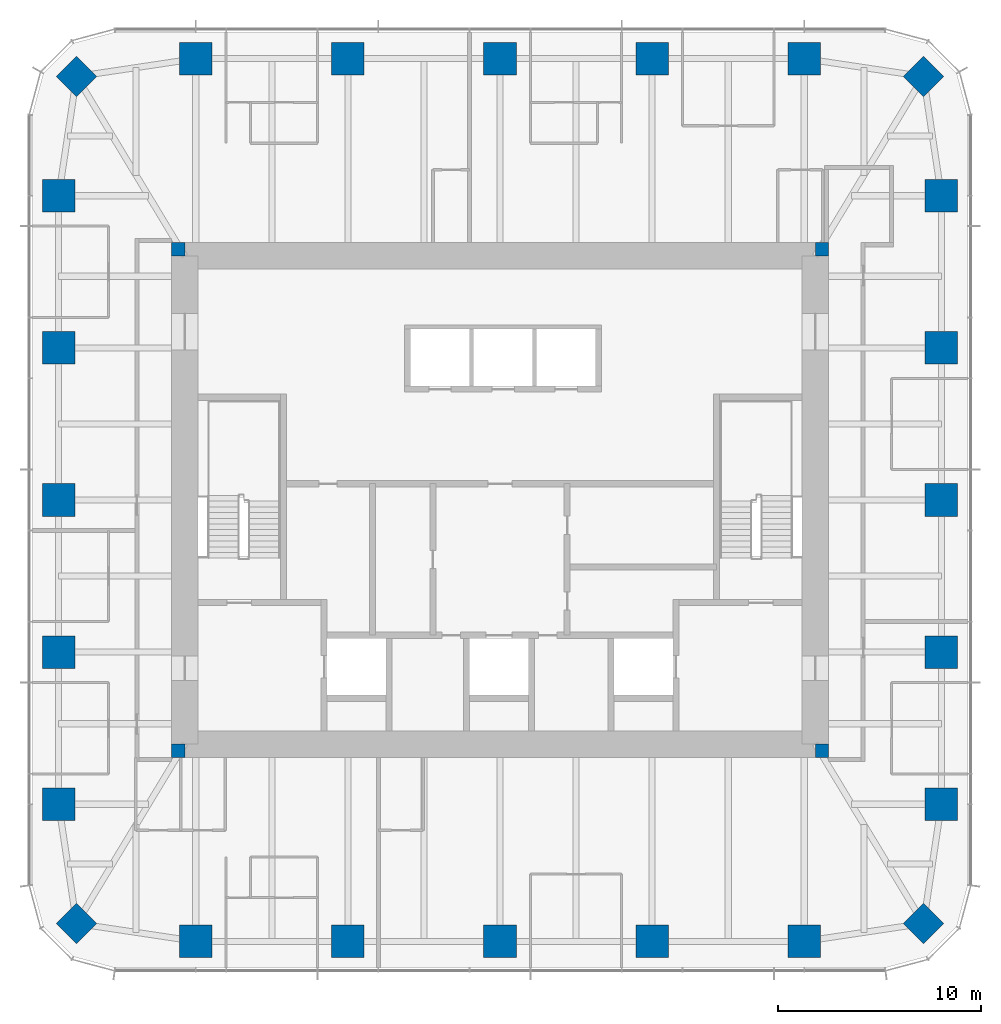
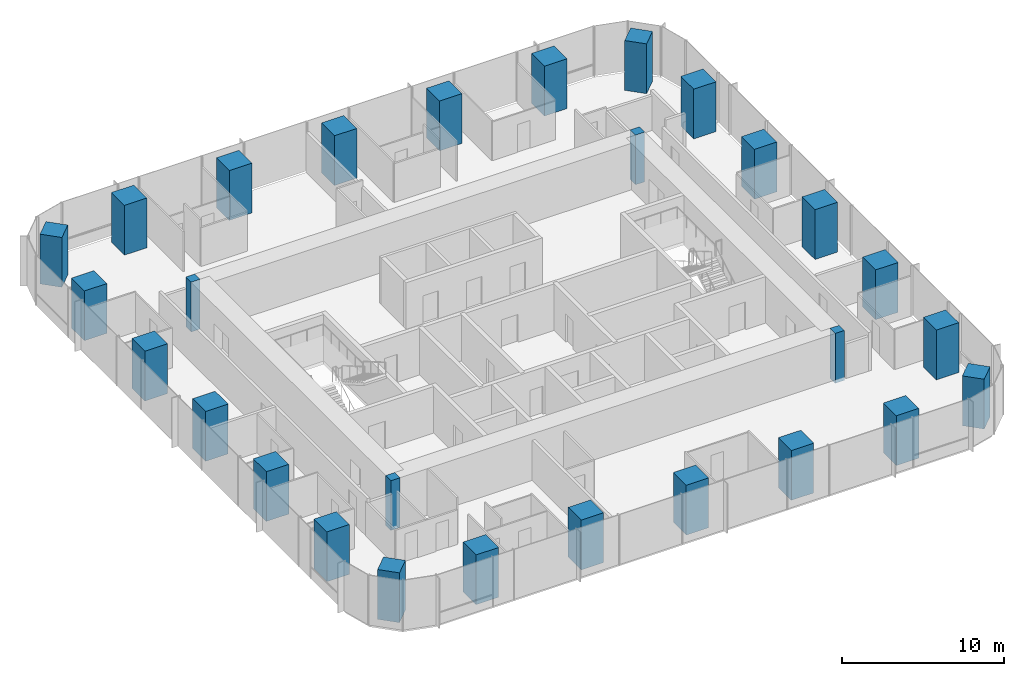
# One storey, part 1 of 12: 28 columns.
"""IFC4 building model written with IfcOpenShell, lengths in metres."""

import ifcopenshell
import ifcopenshell.guid

model = None  # the IFC model being written
_history = None  # IfcOwnerHistory: only IFC2X3 demands one
_inside = {}  # id of a spatial element -> (the spatial element, [elements in it])
_under = {}  # id of a project, library or spatial element -> (it, [spatial elements below it])
_declared = {}  # id of a project -> (the project, [libraries it declares])
_typed = {}  # id of a type object -> (the type object, [elements of that type])
_made_of = {}  # id of a material, layer set ... -> (it, [elements and type objects made of it])


def new_model(schema):
    """Start an empty IFC model of exactly this schema.

    Asked for "IFC4X3", IfcOpenShell would pick the latest addendum, in which some entities
    have other attributes; the version numbers below select the first issue.
    IFC2X3 requires an IfcOwnerHistory on every rooted entity: one is made here for all.
    """
    global model, _history
    if schema == "IFC4X3":
        model = ifcopenshell.file(schema_version=(4, 3, 0, 0))
    else:
        model = ifcopenshell.file(schema=schema)
    _inside.clear()
    _under.clear()
    _declared.clear()
    _typed.clear()
    _made_of.clear()
    _history = None
    if model.schema == "IFC2X3":
        org = make("IfcOrganization", Name="unknown")
        user = make(
            "IfcPersonAndOrganization",
            ThePerson=make("IfcPerson", FamilyName="unknown"),
            TheOrganization=org,
        )
        app = make(
            "IfcApplication",
            ApplicationDeveloper=org,
            Version="unknown",
            ApplicationFullName="unknown",
            ApplicationIdentifier="unknown",
        )
        _history = make(
            "IfcOwnerHistory",
            OwningUser=user,
            OwningApplication=app,
            ChangeAction="ADDED",
            CreationDate=0,
        )
    return model


def make(cls, **values):
    """One entity of the class cls with the attributes given. An attribute that is None is left unset."""
    return model.create_entity(
        cls, **{name: value for name, value in values.items() if value is not None}
    )


def rooted(cls, **values):
    """An entity with a GlobalId (a new one), such as an element, a storey or a relation."""
    return make(cls, GlobalId=ifcopenshell.guid.new(), OwnerHistory=_history, **values)


def si_unit(unit_type, name, prefix=None):
    """IfcSIUnit, for example si_unit("LENGTHUNIT", "METRE", prefix="MILLI")."""
    return make("IfcSIUnit", UnitType=unit_type, Prefix=prefix, Name=name)


def assignment(units):
    """IfcUnitAssignment: the units of a project."""
    return None if units is None else make("IfcUnitAssignment", Units=units)


def point(xyz):
    """IfcCartesianPoint."""
    return None if xyz is None else make("IfcCartesianPoint", Coordinates=xyz)


def direction(xyz):
    """IfcDirection."""
    return None if xyz is None else make("IfcDirection", DirectionRatios=xyz)


def frame(location, z_axis=None, x_axis=None):
    """IfcAxis2Placement3D, a coordinate frame: its origin and axes. An axis left out is left unset."""
    return make(
        "IfcAxis2Placement3D",
        Location=point(location),
        Axis=direction(z_axis),
        RefDirection=direction(x_axis),
    )


def frame_2d(location, x_axis=None):
    """IfcAxis2Placement2D, a coordinate frame in the plane: its origin and x axis."""
    return make(
        "IfcAxis2Placement2D", Location=point(location), RefDirection=direction(x_axis)
    )


def origin():
    """The frame at (0, 0, 0) with its axes left unset."""
    return frame((0.0, 0.0, 0.0))


def origin_2d():
    """The frame at (0, 0) in the plane with its x axis left unset."""
    return frame_2d((0.0, 0.0))


def place(relative_to, where):
    """IfcLocalPlacement: puts the frame where relative to a parent placement (None: the world)."""
    return make(
        "IfcLocalPlacement", PlacementRelTo=relative_to, RelativePlacement=where
    )


def context(
    kind, dimensions, precision=None, world=None, true_north=None, identifier=None
):
    """IfcGeometricRepresentationContext, for example the 3D "Model" context."""
    return make(
        "IfcGeometricRepresentationContext",
        ContextIdentifier=identifier,
        ContextType=kind,
        CoordinateSpaceDimension=dimensions,
        Precision=precision,
        WorldCoordinateSystem=world,
        TrueNorth=true_north,
    )


def subcontext(parent, identifier, kind, view, scale=None):
    """IfcGeometricRepresentationSubContext, for example "Body" below "Model"."""
    return make(
        "IfcGeometricRepresentationSubContext",
        ContextIdentifier=identifier,
        ContextType=kind,
        ParentContext=parent,
        TargetScale=scale,
        TargetView=view,
    )


def project(units=None, contexts=None):
    """IfcProject with its units and contexts."""
    return rooted(
        "IfcProject",
        Name="project",
        RepresentationContexts=contexts,
        UnitsInContext=assignment(units),
    )


def spatial(cls, under=None, at=None, **own):
    """A site, building, storey or space (cls), placed at a placement, below another one or the project."""
    s = rooted(cls, ObjectPlacement=at, **own)
    if under is not None:
        _under.setdefault(under.id(), (under, []))[1].append(s)
    return s


def profile(cls, at=None, kind="AREA", **sizes):
    """A parametric profile (cls). Its sizes go by their IFC names, for example OverallWidth=200.0."""
    return make(cls, ProfileType=kind, Position=at, **sizes)


def rectangle(**sizes):
    """IfcRectangleProfileDef."""
    return profile("IfcRectangleProfileDef", **sizes)


def extrude(swept, where, along, depth):
    """IfcExtrudedAreaSolid: the profile swept, set in the frame where, extruded along a direction by depth."""
    return make(
        "IfcExtrudedAreaSolid",
        SweptArea=swept,
        Position=where,
        ExtrudedDirection=direction(along),
        Depth=depth,
    )


def shape(context_of_items, identifier, shape_type, items):
    """IfcShapeRepresentation: the items that make up one representation, for example the "Body"."""
    return make(
        "IfcShapeRepresentation",
        ContextOfItems=context_of_items,
        RepresentationIdentifier=identifier,
        RepresentationType=shape_type,
        Items=items,
    )


def material(Name=None, Category=None):
    """IfcMaterial."""
    return make("IfcMaterial", Name=Name, Category=Category)


def material_profile(
    of_material, cross_section, Name=None, Category=None, Priority=None
):
    """IfcMaterialProfile: a cross section and its material."""
    return make(
        "IfcMaterialProfile",
        Name=Name,
        Material=of_material,
        Profile=cross_section,
        Priority=Priority,
        Category=Category,
    )


def profile_set(profiles, Name=None, composite=None):
    """IfcMaterialProfileSet."""
    return make(
        "IfcMaterialProfileSet",
        Name=Name,
        MaterialProfiles=profiles,
        CompositeProfile=composite,
    )


def made_of(thing, what):
    """Note that an element or type object is made of a material, layer set ...; save() writes the relation."""
    if what is not None:
        _made_of.setdefault(what.id(), (what, []))[1].append(thing)
    return thing


def type_object(cls, material=None, **own):
    """A type object (cls), such as IfcWallType, which elements share."""
    return made_of(rooted(cls, **own), material)


def element(
    cls,
    number,
    at=None,
    inside=None,
    cuts=None,
    type_object=None,
    material=None,
    context=None,
    identifier="Body",
    shape_type=None,
    held_by="IfcProductDefinitionShape",
    body=None,
    shapes=None,
    **own,
):
    """One element of the class cls, such as IfcWall. Its Tag is "e" and its number.

    at: its placement. inside: the storey or other place that contains it. cuts: it is an
    opening in that element (IfcRelVoidsElement). A single representation is given by context,
    identifier, shape_type and body (its items); several are given by shapes. held_by: the class
    of the entity that holds the representations. save() writes the other relations.
    """
    e = rooted(cls, Tag="e%d" % number, ObjectPlacement=at, **own)
    if body is not None:
        shapes = [shape(context, identifier, shape_type, body)]
    if shapes is not None:
        e.Representation = make(held_by, Representations=shapes)
    if inside is not None:
        _inside.setdefault(inside.id(), (inside, []))[1].append(e)
    if cuts is not None:
        rooted(
            "IfcRelVoidsElement", RelatingBuildingElement=cuts, RelatedOpeningElement=e
        )
    if type_object is not None:
        _typed.setdefault(type_object.id(), (type_object, []))[1].append(e)
    return made_of(e, material)


def aggregate(whole, parts):
    """IfcRelAggregates: a whole, such as a stair, and the parts it consists of."""
    return rooted("IfcRelAggregates", RelatingObject=whole, RelatedObjects=parts)


def save(model, path):
    """Write the relations noted so far, then the file.

    IfcRelAggregates (storeys below a building ...), IfcRelContainedInSpatialStructure (elements
    in a storey), IfcRelDefinesByType, IfcRelAssociatesMaterial and IfcRelDeclares: one each for
    every whole, place, type object, material and project.
    """
    for whole, parts in _under.values():
        aggregate(whole, parts)
    for where, things in _inside.values():
        rooted(
            "IfcRelContainedInSpatialStructure",
            RelatedElements=things,
            RelatingStructure=where,
        )
    for kind, things in _typed.values():
        rooted("IfcRelDefinesByType", RelatedObjects=things, RelatingType=kind)
    for what, things in _made_of.values():
        rooted("IfcRelAssociatesMaterial", RelatedObjects=things, RelatingMaterial=what)
    for by, libraries in _declared.values():
        rooted("IfcRelDeclares", RelatingContext=by, RelatedDefinitions=libraries)
    model.write(path)


model = new_model("IFC4")

# Units and contexts
model_context = context("Model", 3, precision=1e-05, world=origin(), true_north=direction((0.0, 1.0)))
body_context = subcontext(model_context, "Body", "Model", "MODEL_VIEW")
ifc_project = project(units=[si_unit("LENGTHUNIT", "METRE"), si_unit("AREAUNIT", "SQUARE_METRE"), si_unit("VOLUMEUNIT", "CUBIC_METRE"), si_unit("PLANEANGLEUNIT", "RADIAN"), si_unit("MASSUNIT", "GRAM", prefix="KILO")], contexts=[model_context])

# Site, building, storey
site_placement = place(None, origin())
site = spatial("IfcSite", under=ifc_project, at=site_placement, CompositionType="ELEMENT")
building_placement = place(site_placement, origin())
building = spatial("IfcBuilding", under=site, at=building_placement, Name="Khuree Lantern Residences", CompositionType="ELEMENT")
storey_placement = place(building_placement, frame((0.0, 0.0, 334.5)))
storey = spatial("IfcBuildingStorey", under=building, at=storey_placement, Name="L84", CompositionType="ELEMENT", Elevation=334.5)

# Columns
ifc_material_1 = material(Name="Concrete C70/85", Category="concrete")
ifc_material_profile_1 = material_profile(ifc_material_1, rectangle(XDim=1.39990234375, YDim=1.39990234375, at=origin_2d()), Name="RC 1400X1400")
ifc_profile_set_1 = profile_set([ifc_material_profile_1], Name="Concrete C70/85")
column_type_1 = type_object("IfcColumnType", Name="CC1400 PERIMETER CORNER COLUMN RC 1400X1400", PredefinedType="COLUMN", material=ifc_profile_set_1)
for number, where, z_axis, x_axis, name in (
    (1, (20.8212890625, 20.8212890625, 0.0), (0.0, 0.0, 1.0), (0.707106781187, -0.707106781187, 0.0), "Perimeter column NE"),
    (2, (20.8212890625, -20.8212890625, 0.0), (0.0, 0.0, 1.0), (0.707106781187, 0.707106781187, 0.0), "Perimeter column SE"),
    (3, (-20.8212890625, -20.8212890625, 0.0), (0.0, 0.0, 1.0), (0.707106781187, -0.707106781187, 0.0), "Perimeter column SW"),
    (4, (-20.8212890625, 20.8212890625, 0.0), (0.0, 0.0, 1.0), (0.707106781187, 0.707106781187, 0.0), "Perimeter column NW"),
):
    element("IfcColumn", number, at=place(storey_placement, frame(where, z_axis=z_axis, x_axis=x_axis)), inside=storey, type_object=column_type_1, Name=name, PredefinedType="COLUMN", context=body_context, shape_type="SweptSolid", body=[
        extrude(rectangle(XDim=1.39990234375, YDim=1.39990234375, at=origin_2d()), origin(), (0.0, 0.0, 1.0), 3.75),
    ])
ifc_material_2 = material(Name="Concrete C50/60", Category="concrete")
ifc_material_profile_2 = material_profile(ifc_material_2, rectangle(XDim=0.64990234375, YDim=0.64990234375, at=origin_2d()), Name="RC 650X650")
ifc_profile_set_2 = profile_set([ifc_material_profile_2], Name="Concrete C50/60")
column_type_2 = type_object("IfcColumnType", Name="CP650-C50 CORE CORNER PIER C50 RC 650X650", PredefinedType="COLUMN", material=ifc_profile_set_2)
for number, where, z_axis, x_axis, name in (
    (5, (15.824951171875, 12.324951171875, -0.25), (0.0, 0.0, 1.0), (1.0, 0.0, 0.0), "Core corner pier NE"),
    (6, (-15.824951171875, 12.324951171875, -0.25), (0.0, 0.0, 1.0), (1.0, 0.0, 0.0), "Core corner pier NW"),
    (7, (-15.824951171875, -12.324951171875, -0.25), (0.0, 0.0, 1.0), (1.0, 0.0, 0.0), "Core corner pier SW"),
    (8, (15.824951171875, -12.324951171875, -0.25), (0.0, 0.0, 1.0), (1.0, 0.0, 0.0), "Core corner pier SE"),
):
    element("IfcColumn", number, at=place(storey_placement, frame(where, z_axis=z_axis, x_axis=x_axis)), inside=storey, type_object=column_type_2, Name=name, PredefinedType="COLUMN", context=body_context, shape_type="SweptSolid", body=[
        extrude(rectangle(XDim=0.64990234375, YDim=0.64990234375, at=origin_2d()), origin(), (0.0, 0.0, 1.0), 3.75),
    ])
ifc_material_profile_3 = material_profile(ifc_material_1, rectangle(XDim=1.60009765625, YDim=1.60009765625, at=origin_2d()), Name="RC 1600X1600")
ifc_profile_set_3 = profile_set([ifc_material_profile_3], Name="Concrete C70/85")
column_type_3 = type_object("IfcColumnType", Name="PC5 PERIMETER COLUMN RC 1600X1600", PredefinedType="COLUMN", material=ifc_profile_set_3)
for number, where, z_axis, x_axis, name in (
    (9, (-14.9599609375, 21.699951171875, 0.0), (0.0, 0.0, 1.0), (1.0, 0.0, 0.0), "Perimeter column N1"),
    (10, (-7.47998046875, 21.699951171875, 0.0), (0.0, 0.0, 1.0), (1.0, 0.0, 0.0), "Perimeter column N2"),
    (11, (0.0, 21.699951171875, 0.0), (0.0, 0.0, 1.0), (1.0, 0.0, 0.0), "Perimeter column N3"),
    (12, (7.47998046875, 21.699951171875, 0.0), (0.0, 0.0, 1.0), (1.0, 0.0, 0.0), "Perimeter column N4"),
    (13, (14.9599609375, 21.699951171875, 0.0), (0.0, 0.0, 1.0), (1.0, 0.0, 0.0), "Perimeter column N5"),
    (14, (21.699951171875, 14.9599609375, 0.0), (0.0, 0.0, 1.0), (0.0, 1.0, 0.0), "Perimeter column E1"),
    (15, (21.699951171875, 7.47998046875, 0.0), (0.0, 0.0, 1.0), (0.0, 1.0, 0.0), "Perimeter column E2"),
    (16, (21.699951171875, 0.0, 0.0), (0.0, 0.0, 1.0), (0.0, 1.0, 0.0), "Perimeter column E3"),
    (17, (21.699951171875, -7.47998046875, 0.0), (0.0, 0.0, 1.0), (0.0, 1.0, 0.0), "Perimeter column E4"),
    (18, (21.699951171875, -14.9599609375, 0.0), (0.0, 0.0, 1.0), (0.0, 1.0, 0.0), "Perimeter column E5"),
    (19, (14.9599609375, -21.699951171875, 0.0), (0.0, 0.0, 1.0), (1.0, 0.0, 0.0), "Perimeter column S1"),
    (20, (7.47998046875, -21.699951171875, 0.0), (0.0, 0.0, 1.0), (1.0, 0.0, 0.0), "Perimeter column S2"),
    (21, (0.0, -21.699951171875, 0.0), (0.0, 0.0, 1.0), (1.0, 0.0, 0.0), "Perimeter column S3"),
    (22, (-7.47998046875, -21.699951171875, 0.0), (0.0, 0.0, 1.0), (1.0, 0.0, 0.0), "Perimeter column S4"),
    (23, (-14.9599609375, -21.699951171875, 0.0), (0.0, 0.0, 1.0), (1.0, 0.0, 0.0), "Perimeter column S5"),
    (24, (-21.699951171875, -14.9599609375, 0.0), (0.0, 0.0, 1.0), (0.0, 1.0, 0.0), "Perimeter column W1"),
    (25, (-21.699951171875, -7.47998046875, 0.0), (0.0, 0.0, 1.0), (0.0, 1.0, 0.0), "Perimeter column W2"),
    (26, (-21.699951171875, 0.0, 0.0), (0.0, 0.0, 1.0), (0.0, 1.0, 0.0), "Perimeter column W3"),
    (27, (-21.699951171875, 7.47998046875, 0.0), (0.0, 0.0, 1.0), (0.0, 1.0, 0.0), "Perimeter column W4"),
    (28, (-21.699951171875, 14.9599609375, 0.0), (0.0, 0.0, 1.0), (0.0, 1.0, 0.0), "Perimeter column W5"),
):
    element("IfcColumn", number, at=place(storey_placement, frame(where, z_axis=z_axis, x_axis=x_axis)), inside=storey, type_object=column_type_3, Name=name, PredefinedType="COLUMN", context=body_context, shape_type="SweptSolid", body=[
        extrude(rectangle(XDim=1.60009765625, YDim=1.60009765625, at=origin_2d()), origin(), (0.0, 0.0, 1.0), 3.75),
    ])

save(model, "model.ifc")
